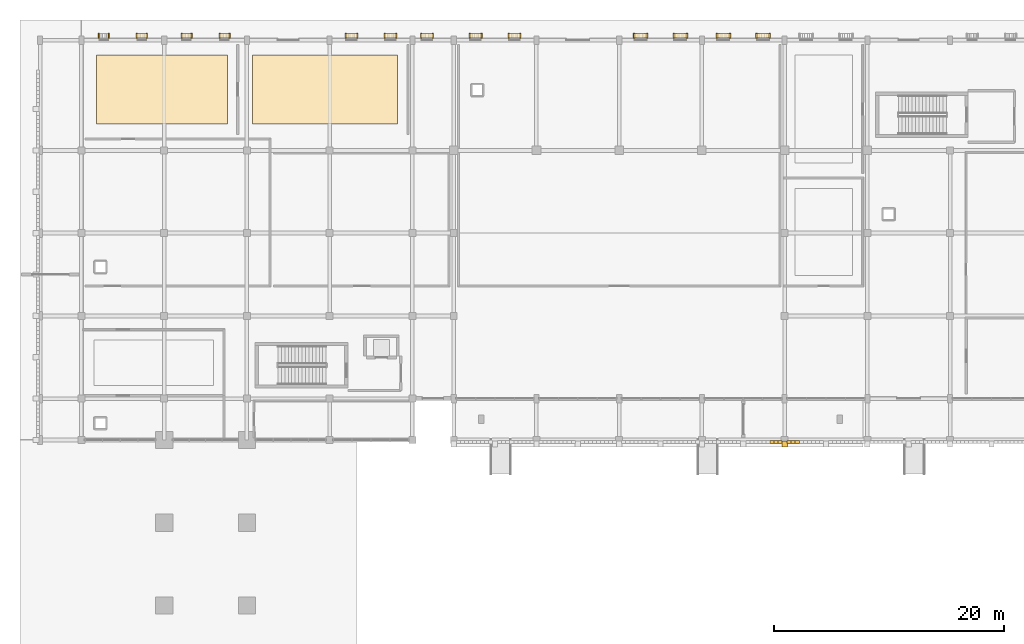
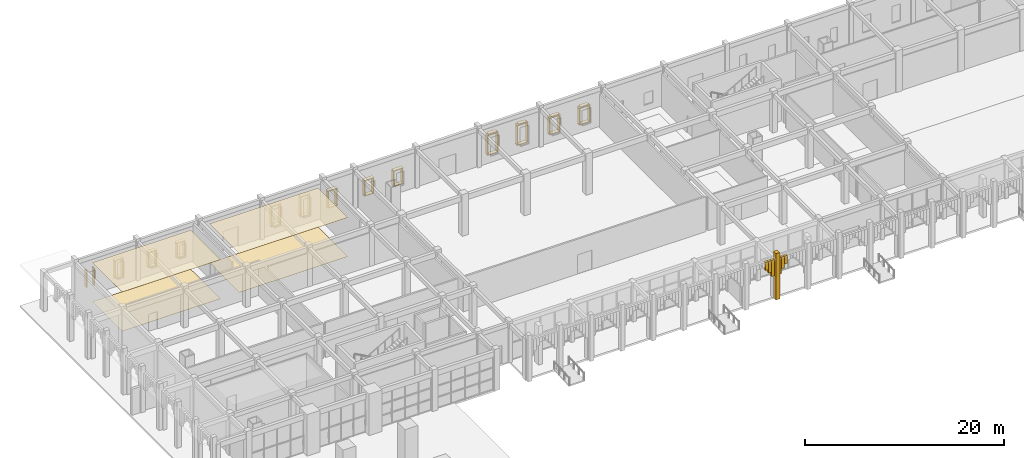
# One storey, part 53 of 72: 65 coverings.
"""IFC4 building model written with IfcOpenShell, lengths in metres."""

from ifc_helpers import new_model, si_unit, direction, frame, origin, origin_2d, place, context, subcontext, project, spatial, polyline, rectangle, outline, extrude, material, layer, layer_set, type_object, element, save


model = new_model("IFC4")

# Units and contexts
model_context = context("Model", 3, precision=1e-05, world=origin(), true_north=direction((0.0, 1.0)))
body_context = subcontext(model_context, "Body", "Model", "MODEL_VIEW")
ifc_project = project(units=[si_unit("LENGTHUNIT", "METRE"), si_unit("AREAUNIT", "SQUARE_METRE"), si_unit("VOLUMEUNIT", "CUBIC_METRE"), si_unit("PLANEANGLEUNIT", "RADIAN"), si_unit("MASSUNIT", "GRAM", prefix="KILO")], contexts=[model_context])

# Site, building, storey
site_placement = place(None, origin())
site = spatial("IfcSite", under=ifc_project, at=site_placement, CompositionType="ELEMENT")
building_placement = place(site_placement, origin())
building = spatial("IfcBuilding", under=site, at=building_placement, Name="Nzembalo Square Collegiate School", CompositionType="ELEMENT")
storey_placement = place(building_placement, origin())
storey = spatial("IfcBuildingStorey", under=building, at=storey_placement, Name="L00", CompositionType="ELEMENT", Elevation=0.0)

# Coverings
ifc_material_1 = material(Name="Precast concrete C40/50 arch voussoir", Category="concrete")
ifc_layer_1 = layer(ifc_material_1, 0.1201171875, Name="Precast concrete C40/50 arch voussoir")
ifc_layer_set_1 = layer_set([ifc_layer_1], Name="Precast concrete C40/50 arch voussoir")
covering_type_1 = type_object("IfcCoveringType", Name="AR01", PredefinedType="CLADDING", material=ifc_layer_set_1)
covering_1_placement = place(storey_placement, frame((68.502197265625, 79.02001953125, 3.810546875), z_axis=(0.0, 0.0, 1.0), x_axis=(1.0, 0.0, 0.0)))
element("IfcCovering", 1, at=covering_1_placement, inside=storey, type_object=covering_type_1, Name="Gothic pointed arch voussoir AR01-049-6", PredefinedType="CLADDING", context=body_context, shape_type="SweptSolid", body=[
    extrude(rectangle(XDim=0.35107421875, YDim=0.280029296875, at=origin_2d()), origin(), (0.0, 0.0, 1.0), 0.989501953125),
])
covering_2_placement = place(storey_placement, frame((68.853271484375, 79.02001953125, 3.361328125), z_axis=(0.0, 0.0, 1.0), x_axis=(1.0, 0.0, 0.0)))
element("IfcCovering", 2, at=covering_2_placement, inside=storey, type_object=covering_type_1, Name="Gothic pointed arch voussoir AR01-049-7", PredefinedType="CLADDING", context=body_context, shape_type="SweptSolid", body=[
    extrude(rectangle(XDim=0.35107421875, YDim=0.280029296875, at=origin_2d()), origin(), (0.0, 0.0, 1.0), 1.438720703125),
])
covering_3_placement = place(storey_placement, frame((69.204345703125, 79.02001953125, 2.80859375), z_axis=(0.0, 0.0, 1.0), x_axis=(1.0, 0.0, 0.0)))
element("IfcCovering", 3, at=covering_3_placement, inside=storey, type_object=covering_type_1, Name="Gothic pointed arch voussoir AR01-049-8", PredefinedType="CLADDING", context=body_context, shape_type="SweptSolid", body=[
    extrude(rectangle(XDim=0.35107421875, YDim=0.280029296875, at=origin_2d()), origin(), (0.0, 0.0, 1.0), 1.991455078125),
])
covering_4_placement = place(storey_placement, frame((69.99560546875, 79.02001953125, 2.808349609375), z_axis=(0.0, 0.0, 1.0), x_axis=(1.0, 0.0, 0.0)))
element("IfcCovering", 4, at=covering_4_placement, inside=storey, type_object=covering_type_1, Name="Gothic pointed arch voussoir AR01-050-0", PredefinedType="CLADDING", context=body_context, shape_type="SweptSolid", body=[
    extrude(rectangle(XDim=0.35107421875, YDim=0.280029296875, at=origin_2d()), origin(), (0.0, 0.0, 1.0), 1.99169921875),
])
covering_5_placement = place(storey_placement, frame((70.3466796875, 79.02001953125, 3.361083984375), z_axis=(0.0, 0.0, 1.0), x_axis=(1.0, 0.0, 0.0)))
element("IfcCovering", 5, at=covering_5_placement, inside=storey, type_object=covering_type_1, Name="Gothic pointed arch voussoir AR01-050-1", PredefinedType="CLADDING", context=body_context, shape_type="SweptSolid", body=[
    extrude(rectangle(XDim=0.35107421875, YDim=0.280029296875, at=origin_2d()), origin(), (0.0, 0.0, 1.0), 1.43896484375),
])
covering_6_placement = place(storey_placement, frame((70.69775390625, 79.02001953125, 3.810546875), z_axis=(0.0, 0.0, 1.0), x_axis=(1.0, 0.0, 0.0)))
element("IfcCovering", 6, at=covering_6_placement, inside=storey, type_object=covering_type_1, Name="Gothic pointed arch voussoir AR01-050-2", PredefinedType="CLADDING", context=body_context, shape_type="SweptSolid", body=[
    extrude(rectangle(XDim=0.35107421875, YDim=0.280029296875, at=origin_2d()), origin(), (0.0, 0.0, 1.0), 0.989501953125),
])
covering_7_placement = place(storey_placement, frame((69.60009765625, 78.840087890625, 0.0), z_axis=(0.0, 0.0, 1.0), x_axis=(1.0, 0.0, 0.0)))
element("IfcCovering", 7, at=covering_7_placement, inside=storey, type_object=covering_type_1, Name="Gothic arcade buttress pinnacle AR01-B050", PredefinedType="CLADDING", context=body_context, shape_type="SweptSolid", body=[
    extrude(rectangle(XDim=0.4599609375, YDim=0.52001953125, at=origin_2d()), origin(), (0.0, 0.0, 1.0), 5.699951171875),
])
ifc_material_2 = material(Name="Perforated acoustic mineral-fibre ceiling")
ifc_layer_2 = layer(ifc_material_2, 0.02490234375, Name="Perforated acoustic mineral-fibre ceiling")
ifc_layer_set_2 = layer_set([ifc_layer_2], Name="Perforated acoustic mineral-fibre ceiling")
covering_type_2 = type_object("IfcCoveringType", Name="CE01", PredefinedType="CEILING", material=ifc_layer_set_2)
covering_8_placement = place(storey_placement, frame((0.0, 0.0, 4.7900390625)))
element("IfcCovering", 8, at=covering_8_placement, inside=storey, type_object=covering_type_2, Name="Acoustic ceiling panel CE01-03", PredefinedType="CEILING", context=body_context, shape_type="SweptSolid", body=[
    extrude(outline(polyline([(9.699951171875, 106.699951171875), (21.10009765625, 106.699951171875), (21.10009765625, 112.699951171875), (9.699951171875, 112.699951171875), (9.699951171875, 106.699951171875)])), origin(), (0.0, 0.0, 1.0), 0.02490234375),
])
covering_9_placement = place(storey_placement, frame((0.0, 0.0, 4.7900390625)))
element("IfcCovering", 9, at=covering_9_placement, inside=storey, type_object=covering_type_2, Name="Acoustic ceiling panel CE01-04", PredefinedType="CEILING", context=body_context, shape_type="SweptSolid", body=[
    extrude(outline(polyline([(23.300048828125, 106.699951171875), (35.89990234375, 106.699951171875), (35.89990234375, 112.699951171875), (23.300048828125, 112.699951171875), (23.300048828125, 106.699951171875)])), origin(), (0.0, 0.0, 1.0), 0.02490234375),
])
ifc_material_3 = material(Name="Polished stone terrazzo flooring", Category="masonry")
ifc_layer_3 = layer(ifc_material_3, 0.02001953125, Name="Polished stone terrazzo flooring")
ifc_layer_set_3 = layer_set([ifc_layer_3], Name="Polished stone terrazzo flooring")
covering_type_3 = type_object("IfcCoveringType", Name="FL01", PredefinedType="FLOORING", material=ifc_layer_set_3)
covering_10_placement = place(storey_placement, origin())
element("IfcCovering", 10, at=covering_10_placement, inside=storey, type_object=covering_type_3, Name="Terrazzo finish flooring FL01-03", PredefinedType="FLOORING", context=body_context, shape_type="SweptSolid", body=[
    extrude(outline(polyline([(9.699951171875, 106.699951171875), (21.10009765625, 106.699951171875), (21.10009765625, 112.699951171875), (9.699951171875, 112.699951171875), (9.699951171875, 106.699951171875)])), origin(), (0.0, 0.0, 1.0), 0.02001953125),
])
covering_11_placement = place(storey_placement, origin())
element("IfcCovering", 11, at=covering_11_placement, inside=storey, type_object=covering_type_3, Name="Terrazzo finish flooring FL01-04", PredefinedType="FLOORING", context=body_context, shape_type="SweptSolid", body=[
    extrude(outline(polyline([(23.300048828125, 106.699951171875), (35.89990234375, 106.699951171875), (35.89990234375, 112.699951171875), (23.300048828125, 112.699951171875), (23.300048828125, 106.699951171875)])), origin(), (0.0, 0.0, 1.0), 0.02001953125),
])
ifc_material_4 = material(Name="Glazed celadon ceramic window frame")
ifc_layer_4 = layer(ifc_material_4, 0.419921875, Name="Glazed celadon ceramic window frame")
ifc_layer_set_4 = layer_set([ifc_layer_4], Name="Glazed celadon ceramic window frame")
covering_type_4 = type_object("IfcCoveringType", Name="WF01", PredefinedType="CLADDING", material=ifc_layer_set_4)
for number, where, z_axis, x_axis, name in (
    (12, (9.916015625, 114.375, 0.75), (0.0, 0.0, 1.0), (1.0, 0.0, 0.0), "Deep lancet window jamb WF01-0075L"),
    (13, (10.77587890625, 114.375, 0.75), (0.0, 0.0, 1.0), (1.0, 0.0, 0.0), "Deep lancet window jamb WF01-0075R"),
):
    element("IfcCovering", number, at=place(storey_placement, frame(where, z_axis=z_axis, x_axis=x_axis)), inside=storey, type_object=covering_type_4, Name=name, PredefinedType="CLADDING", context=body_context, shape_type="SweptSolid", body=[
        extrude(rectangle(XDim=0.10009765625, YDim=0.419921875, at=origin_2d()), origin(), (0.0, 0.0, 1.0), 2.10009765625),
    ])
covering_12_placement = place(storey_placement, frame((13.654052734375, 114.375, 2.85498046875), z_axis=(0.0, 0.0, 1.0), x_axis=(1.0, 0.0, 0.0)))
element("IfcCovering", 14, at=covering_12_placement, inside=storey, type_object=covering_type_4, Name="Deep lancet window hood WF01-0076", PredefinedType="CLADDING", context=body_context, shape_type="SweptSolid", body=[
    extrude(rectangle(XDim=0.989990234375, YDim=0.419921875, at=origin_2d()), origin(), (0.0, 0.0, 1.0), 0.110107421875),
])
covering_13_placement = place(storey_placement, frame((13.654052734375, 114.375, 0.65478515625), z_axis=(0.0, 0.0, 1.0), x_axis=(1.0, 0.0, 0.0)))
element("IfcCovering", 15, at=covering_13_placement, inside=storey, type_object=covering_type_4, Name="Deep lancet window sill WF01-0076", PredefinedType="CLADDING", context=body_context, shape_type="SweptSolid", body=[
    extrude(rectangle(XDim=0.989990234375, YDim=0.419921875, at=origin_2d()), origin(), (0.0, 0.0, 1.0), 0.090087890625),
])
for number, where, z_axis, x_axis, name in (
    (16, (13.22412109375, 114.375, 0.75), (0.0, 0.0, 1.0), (1.0, 0.0, 0.0), "Deep lancet window jamb WF01-0076L"),
    (17, (14.083984375, 114.375, 0.75), (0.0, 0.0, 1.0), (1.0, 0.0, 0.0), "Deep lancet window jamb WF01-0076R"),
):
    element("IfcCovering", number, at=place(storey_placement, frame(where, z_axis=z_axis, x_axis=x_axis)), inside=storey, type_object=covering_type_4, Name=name, PredefinedType="CLADDING", context=body_context, shape_type="SweptSolid", body=[
        extrude(rectangle(XDim=0.10009765625, YDim=0.419921875, at=origin_2d()), origin(), (0.0, 0.0, 1.0), 2.10009765625),
    ])
covering_14_placement = place(storey_placement, frame((17.5458984375, 114.385009765625, 2.455078125), z_axis=(0.0, 0.0, 1.0), x_axis=(1.0, 0.0, 0.0)))
element("IfcCovering", 18, at=covering_14_placement, inside=storey, type_object=covering_type_4, Name="Deep lancet window hood WF01-0077", PredefinedType="CLADDING", context=body_context, shape_type="SweptSolid", body=[
    extrude(rectangle(XDim=0.989990234375, YDim=0.419921875, at=origin_2d()), origin(), (0.0, 0.0, 1.0), 0.110107421875),
])
covering_15_placement = place(storey_placement, frame((17.5458984375, 114.385009765625, 0.65478515625), z_axis=(0.0, 0.0, 1.0), x_axis=(1.0, 0.0, 0.0)))
element("IfcCovering", 19, at=covering_15_placement, inside=storey, type_object=covering_type_4, Name="Deep lancet window sill WF01-0077", PredefinedType="CLADDING", context=body_context, shape_type="SweptSolid", body=[
    extrude(rectangle(XDim=0.989990234375, YDim=0.419921875, at=origin_2d()), origin(), (0.0, 0.0, 1.0), 0.090087890625),
])
for number, where, z_axis, x_axis, name in (
    (20, (17.115966796875, 114.385009765625, 0.75), (0.0, 0.0, 1.0), (1.0, 0.0, 0.0), "Deep lancet window jamb WF01-0077L"),
    (21, (17.97607421875, 114.385009765625, 0.75), (0.0, 0.0, 1.0), (1.0, 0.0, 0.0), "Deep lancet window jamb WF01-0077R"),
):
    element("IfcCovering", number, at=place(storey_placement, frame(where, z_axis=z_axis, x_axis=x_axis)), inside=storey, type_object=covering_type_4, Name=name, PredefinedType="CLADDING", context=body_context, shape_type="SweptSolid", body=[
        extrude(rectangle(XDim=0.10009765625, YDim=0.419921875, at=origin_2d()), origin(), (0.0, 0.0, 1.0), 1.699951171875),
    ])
covering_16_placement = place(storey_placement, frame((20.85400390625, 114.385009765625, 2.455078125), z_axis=(0.0, 0.0, 1.0), x_axis=(1.0, 0.0, 0.0)))
element("IfcCovering", 22, at=covering_16_placement, inside=storey, type_object=covering_type_4, Name="Deep lancet window hood WF01-0078", PredefinedType="CLADDING", context=body_context, shape_type="SweptSolid", body=[
    extrude(rectangle(XDim=0.989990234375, YDim=0.419921875, at=origin_2d()), origin(), (0.0, 0.0, 1.0), 0.110107421875),
])
covering_17_placement = place(storey_placement, frame((20.85400390625, 114.385009765625, 0.65478515625), z_axis=(0.0, 0.0, 1.0), x_axis=(1.0, 0.0, 0.0)))
element("IfcCovering", 23, at=covering_17_placement, inside=storey, type_object=covering_type_4, Name="Deep lancet window sill WF01-0078", PredefinedType="CLADDING", context=body_context, shape_type="SweptSolid", body=[
    extrude(rectangle(XDim=0.989990234375, YDim=0.419921875, at=origin_2d()), origin(), (0.0, 0.0, 1.0), 0.090087890625),
])
for number, where, z_axis, x_axis, name in (
    (24, (20.424072265625, 114.385009765625, 0.75), (0.0, 0.0, 1.0), (1.0, 0.0, 0.0), "Deep lancet window jamb WF01-0078L"),
    (25, (21.283935546875, 114.385009765625, 0.75), (0.0, 0.0, 1.0), (1.0, 0.0, 0.0), "Deep lancet window jamb WF01-0078R"),
):
    element("IfcCovering", number, at=place(storey_placement, frame(where, z_axis=z_axis, x_axis=x_axis)), inside=storey, type_object=covering_type_4, Name=name, PredefinedType="CLADDING", context=body_context, shape_type="SweptSolid", body=[
        extrude(rectangle(XDim=0.10009765625, YDim=0.419921875, at=origin_2d()), origin(), (0.0, 0.0, 1.0), 1.699951171875),
    ])
covering_18_placement = place(storey_placement, frame((31.908447265625, 114.385009765625, 3.10498046875), z_axis=(0.0, 0.0, 1.0), x_axis=(1.0, 0.0, 0.0)))
element("IfcCovering", 26, at=covering_18_placement, inside=storey, type_object=covering_type_4, Name="Deep lancet window hood WF01-0079", PredefinedType="CLADDING", context=body_context, shape_type="SweptSolid", body=[
    extrude(rectangle(XDim=1.139892578125, YDim=0.419921875, at=origin_2d()), origin(), (0.0, 0.0, 1.0), 0.110107421875),
])
covering_19_placement = place(storey_placement, frame((31.908447265625, 114.385009765625, 0.65478515625), z_axis=(0.0, 0.0, 1.0), x_axis=(1.0, 0.0, 0.0)))
element("IfcCovering", 27, at=covering_19_placement, inside=storey, type_object=covering_type_4, Name="Deep lancet window sill WF01-0079", PredefinedType="CLADDING", context=body_context, shape_type="SweptSolid", body=[
    extrude(rectangle(XDim=1.139892578125, YDim=0.419921875, at=origin_2d()), origin(), (0.0, 0.0, 1.0), 0.090087890625),
])
for number, where, z_axis, x_axis, name in (
    (28, (31.403564453125, 114.385009765625, 0.75), (0.0, 0.0, 1.0), (1.0, 0.0, 0.0), "Deep lancet window jamb WF01-0079L"),
    (29, (32.41357421875, 114.385009765625, 0.75), (0.0, 0.0, 1.0), (1.0, 0.0, 0.0), "Deep lancet window jamb WF01-0079R"),
):
    element("IfcCovering", number, at=place(storey_placement, frame(where, z_axis=z_axis, x_axis=x_axis)), inside=storey, type_object=covering_type_4, Name=name, PredefinedType="CLADDING", context=body_context, shape_type="SweptSolid", body=[
        extrude(rectangle(XDim=0.10009765625, YDim=0.419921875, at=origin_2d()), origin(), (0.0, 0.0, 1.0), 2.35009765625),
    ])
covering_20_placement = place(storey_placement, frame((35.29150390625, 114.385009765625, 3.10498046875), z_axis=(0.0, 0.0, 1.0), x_axis=(1.0, 0.0, 0.0)))
element("IfcCovering", 30, at=covering_20_placement, inside=storey, type_object=covering_type_4, Name="Deep lancet window hood WF01-0080", PredefinedType="CLADDING", context=body_context, shape_type="SweptSolid", body=[
    extrude(rectangle(XDim=1.139892578125, YDim=0.419921875, at=origin_2d()), origin(), (0.0, 0.0, 1.0), 0.110107421875),
])
covering_21_placement = place(storey_placement, frame((35.29150390625, 114.385009765625, 0.65478515625), z_axis=(0.0, 0.0, 1.0), x_axis=(1.0, 0.0, 0.0)))
element("IfcCovering", 31, at=covering_21_placement, inside=storey, type_object=covering_type_4, Name="Deep lancet window sill WF01-0080", PredefinedType="CLADDING", context=body_context, shape_type="SweptSolid", body=[
    extrude(rectangle(XDim=1.139892578125, YDim=0.419921875, at=origin_2d()), origin(), (0.0, 0.0, 1.0), 0.090087890625),
])
for number, where, z_axis, x_axis, name in (
    (32, (34.78662109375, 114.385009765625, 0.75), (0.0, 0.0, 1.0), (1.0, 0.0, 0.0), "Deep lancet window jamb WF01-0080L"),
    (33, (35.79638671875, 114.385009765625, 0.75), (0.0, 0.0, 1.0), (1.0, 0.0, 0.0), "Deep lancet window jamb WF01-0080R"),
):
    element("IfcCovering", number, at=place(storey_placement, frame(where, z_axis=z_axis, x_axis=x_axis)), inside=storey, type_object=covering_type_4, Name=name, PredefinedType="CLADDING", context=body_context, shape_type="SweptSolid", body=[
        extrude(rectangle(XDim=0.10009765625, YDim=0.419921875, at=origin_2d()), origin(), (0.0, 0.0, 1.0), 2.35009765625),
    ])
covering_22_placement = place(storey_placement, frame((38.472412109375, 114.375, 2.705078125), z_axis=(0.0, 0.0, 1.0), x_axis=(1.0, 0.0, 0.0)))
element("IfcCovering", 34, at=covering_22_placement, inside=storey, type_object=covering_type_4, Name="Deep lancet window hood WF01-0081", PredefinedType="CLADDING", context=body_context, shape_type="SweptSolid", body=[
    extrude(rectangle(XDim=1.139892578125, YDim=0.419921875, at=origin_2d()), origin(), (0.0, 0.0, 1.0), 0.110107421875),
])
covering_23_placement = place(storey_placement, frame((38.472412109375, 114.375, 0.65478515625), z_axis=(0.0, 0.0, 1.0), x_axis=(1.0, 0.0, 0.0)))
element("IfcCovering", 35, at=covering_23_placement, inside=storey, type_object=covering_type_4, Name="Deep lancet window sill WF01-0081", PredefinedType="CLADDING", context=body_context, shape_type="SweptSolid", body=[
    extrude(rectangle(XDim=1.139892578125, YDim=0.419921875, at=origin_2d()), origin(), (0.0, 0.0, 1.0), 0.090087890625),
])
for number, where, z_axis, x_axis, name in (
    (36, (37.96728515625, 114.375, 0.75), (0.0, 0.0, 1.0), (1.0, 0.0, 0.0), "Deep lancet window jamb WF01-0081L"),
    (37, (38.977294921875, 114.375, 0.75), (0.0, 0.0, 1.0), (1.0, 0.0, 0.0), "Deep lancet window jamb WF01-0081R"),
):
    element("IfcCovering", number, at=place(storey_placement, frame(where, z_axis=z_axis, x_axis=x_axis)), inside=storey, type_object=covering_type_4, Name=name, PredefinedType="CLADDING", context=body_context, shape_type="SweptSolid", body=[
        extrude(rectangle(XDim=0.10009765625, YDim=0.419921875, at=origin_2d()), origin(), (0.0, 0.0, 1.0), 1.949951171875),
    ])
covering_24_placement = place(storey_placement, frame((42.70849609375, 114.385009765625, 2.5048828125), z_axis=(0.0, 0.0, 1.0), x_axis=(1.0, 0.0, 0.0)))
element("IfcCovering", 38, at=covering_24_placement, inside=storey, type_object=covering_type_4, Name="Deep lancet window hood WF01-0082", PredefinedType="CLADDING", context=body_context, shape_type="SweptSolid", body=[
    extrude(rectangle(XDim=1.139892578125, YDim=0.419921875, at=origin_2d()), origin(), (0.0, 0.0, 1.0), 0.110107421875),
])
covering_25_placement = place(storey_placement, frame((42.70849609375, 114.385009765625, 0.65478515625), z_axis=(0.0, 0.0, 1.0), x_axis=(1.0, 0.0, 0.0)))
element("IfcCovering", 39, at=covering_25_placement, inside=storey, type_object=covering_type_4, Name="Deep lancet window sill WF01-0082", PredefinedType="CLADDING", context=body_context, shape_type="SweptSolid", body=[
    extrude(rectangle(XDim=1.139892578125, YDim=0.419921875, at=origin_2d()), origin(), (0.0, 0.0, 1.0), 0.090087890625),
])
for number, where, z_axis, x_axis, name in (
    (40, (42.20361328125, 114.385009765625, 0.75), (0.0, 0.0, 1.0), (1.0, 0.0, 0.0), "Deep lancet window jamb WF01-0082L"),
    (41, (43.21337890625, 114.385009765625, 0.75), (0.0, 0.0, 1.0), (1.0, 0.0, 0.0), "Deep lancet window jamb WF01-0082R"),
):
    element("IfcCovering", number, at=place(storey_placement, frame(where, z_axis=z_axis, x_axis=x_axis)), inside=storey, type_object=covering_type_4, Name=name, PredefinedType="CLADDING", context=body_context, shape_type="SweptSolid", body=[
        extrude(rectangle(XDim=0.10009765625, YDim=0.419921875, at=origin_2d()), origin(), (0.0, 0.0, 1.0), 1.75),
    ])
covering_26_placement = place(storey_placement, frame((46.091552734375, 114.385009765625, 2.5048828125), z_axis=(0.0, 0.0, 1.0), x_axis=(1.0, 0.0, 0.0)))
element("IfcCovering", 42, at=covering_26_placement, inside=storey, type_object=covering_type_4, Name="Deep lancet window hood WF01-0083", PredefinedType="CLADDING", context=body_context, shape_type="SweptSolid", body=[
    extrude(rectangle(XDim=1.139892578125, YDim=0.419921875, at=origin_2d()), origin(), (0.0, 0.0, 1.0), 0.110107421875),
])
covering_27_placement = place(storey_placement, frame((46.091552734375, 114.385009765625, 0.65478515625), z_axis=(0.0, 0.0, 1.0), x_axis=(1.0, 0.0, 0.0)))
element("IfcCovering", 43, at=covering_27_placement, inside=storey, type_object=covering_type_4, Name="Deep lancet window sill WF01-0083", PredefinedType="CLADDING", context=body_context, shape_type="SweptSolid", body=[
    extrude(rectangle(XDim=1.139892578125, YDim=0.419921875, at=origin_2d()), origin(), (0.0, 0.0, 1.0), 0.090087890625),
])
for number, where, z_axis, x_axis, name in (
    (44, (45.58642578125, 114.385009765625, 0.75), (0.0, 0.0, 1.0), (1.0, 0.0, 0.0), "Deep lancet window jamb WF01-0083L"),
    (45, (46.596435546875, 114.385009765625, 0.75), (0.0, 0.0, 1.0), (1.0, 0.0, 0.0), "Deep lancet window jamb WF01-0083R"),
):
    element("IfcCovering", number, at=place(storey_placement, frame(where, z_axis=z_axis, x_axis=x_axis)), inside=storey, type_object=covering_type_4, Name=name, PredefinedType="CLADDING", context=body_context, shape_type="SweptSolid", body=[
        extrude(rectangle(XDim=0.10009765625, YDim=0.419921875, at=origin_2d()), origin(), (0.0, 0.0, 1.0), 1.75),
    ])
covering_28_placement = place(storey_placement, frame((57.071044921875, 114.385009765625, 3.05517578125), z_axis=(0.0, 0.0, 1.0), x_axis=(1.0, 0.0, 0.0)))
element("IfcCovering", 46, at=covering_28_placement, inside=storey, type_object=covering_type_4, Name="Deep lancet window hood WF01-0084", PredefinedType="CLADDING", context=body_context, shape_type="SweptSolid", body=[
    extrude(rectangle(XDim=1.2900390625, YDim=0.419921875, at=origin_2d()), origin(), (0.0, 0.0, 1.0), 0.110107421875),
])
covering_29_placement = place(storey_placement, frame((57.071044921875, 114.385009765625, 3.159912109375), z_axis=(0.0, 0.0, 1.0), x_axis=(1.0, 0.0, 0.0)))
element("IfcCovering", 47, at=covering_29_placement, inside=storey, type_object=covering_type_4, Name="Pointed lancet gable WF01-0084-1", PredefinedType="CLADDING", context=body_context, shape_type="SweptSolid", body=[
    extrude(rectangle(XDim=0.949951171875, YDim=0.419921875, at=origin_2d()), origin(), (0.0, 0.0, 1.0), 0.1201171875),
])
covering_30_placement = place(storey_placement, frame((57.071044921875, 114.385009765625, 0.65478515625), z_axis=(0.0, 0.0, 1.0), x_axis=(1.0, 0.0, 0.0)))
element("IfcCovering", 48, at=covering_30_placement, inside=storey, type_object=covering_type_4, Name="Deep lancet window sill WF01-0084", PredefinedType="CLADDING", context=body_context, shape_type="SweptSolid", body=[
    extrude(rectangle(XDim=1.2900390625, YDim=0.419921875, at=origin_2d()), origin(), (0.0, 0.0, 1.0), 0.090087890625),
])
for number, where, z_axis, x_axis, name in (
    (49, (56.490966796875, 114.385009765625, 0.75), (0.0, 0.0, 1.0), (1.0, 0.0, 0.0), "Deep lancet window jamb WF01-0084L"),
    (50, (57.65087890625, 114.385009765625, 0.75), (0.0, 0.0, 1.0), (1.0, 0.0, 0.0), "Deep lancet window jamb WF01-0084R"),
):
    element("IfcCovering", number, at=place(storey_placement, frame(where, z_axis=z_axis, x_axis=x_axis)), inside=storey, type_object=covering_type_4, Name=name, PredefinedType="CLADDING", context=body_context, shape_type="SweptSolid", body=[
        extrude(rectangle(XDim=0.10009765625, YDim=0.419921875, at=origin_2d()), origin(), (0.0, 0.0, 1.0), 2.300048828125),
    ])
covering_31_placement = place(storey_placement, frame((60.529052734375, 114.385009765625, 3.05517578125), z_axis=(0.0, 0.0, 1.0), x_axis=(1.0, 0.0, 0.0)))
element("IfcCovering", 51, at=covering_31_placement, inside=storey, type_object=covering_type_4, Name="Deep lancet window hood WF01-0085", PredefinedType="CLADDING", context=body_context, shape_type="SweptSolid", body=[
    extrude(rectangle(XDim=1.2900390625, YDim=0.419921875, at=origin_2d()), origin(), (0.0, 0.0, 1.0), 0.110107421875),
])
covering_32_placement = place(storey_placement, frame((60.529052734375, 114.385009765625, 3.159912109375), z_axis=(0.0, 0.0, 1.0), x_axis=(1.0, 0.0, 0.0)))
element("IfcCovering", 52, at=covering_32_placement, inside=storey, type_object=covering_type_4, Name="Pointed lancet gable WF01-0085-1", PredefinedType="CLADDING", context=body_context, shape_type="SweptSolid", body=[
    extrude(rectangle(XDim=0.949951171875, YDim=0.419921875, at=origin_2d()), origin(), (0.0, 0.0, 1.0), 0.1201171875),
])
covering_33_placement = place(storey_placement, frame((60.529052734375, 114.385009765625, 0.65478515625), z_axis=(0.0, 0.0, 1.0), x_axis=(1.0, 0.0, 0.0)))
element("IfcCovering", 53, at=covering_33_placement, inside=storey, type_object=covering_type_4, Name="Deep lancet window sill WF01-0085", PredefinedType="CLADDING", context=body_context, shape_type="SweptSolid", body=[
    extrude(rectangle(XDim=1.2900390625, YDim=0.419921875, at=origin_2d()), origin(), (0.0, 0.0, 1.0), 0.090087890625),
])
for number, where, z_axis, x_axis, name in (
    (54, (59.948974609375, 114.385009765625, 0.75), (0.0, 0.0, 1.0), (1.0, 0.0, 0.0), "Deep lancet window jamb WF01-0085L"),
    (55, (61.10888671875, 114.385009765625, 0.75), (0.0, 0.0, 1.0), (1.0, 0.0, 0.0), "Deep lancet window jamb WF01-0085R"),
):
    element("IfcCovering", number, at=place(storey_placement, frame(where, z_axis=z_axis, x_axis=x_axis)), inside=storey, type_object=covering_type_4, Name=name, PredefinedType="CLADDING", context=body_context, shape_type="SweptSolid", body=[
        extrude(rectangle(XDim=0.10009765625, YDim=0.419921875, at=origin_2d()), origin(), (0.0, 0.0, 1.0), 2.300048828125),
    ])
covering_34_placement = place(storey_placement, frame((64.27099609375, 114.375, 2.65478515625), z_axis=(0.0, 0.0, 1.0), x_axis=(1.0, 0.0, 0.0)))
element("IfcCovering", 56, at=covering_34_placement, inside=storey, type_object=covering_type_4, Name="Deep lancet window hood WF01-0086", PredefinedType="CLADDING", context=body_context, shape_type="SweptSolid", body=[
    extrude(rectangle(XDim=1.2900390625, YDim=0.419921875, at=origin_2d()), origin(), (0.0, 0.0, 1.0), 0.110107421875),
])
covering_35_placement = place(storey_placement, frame((64.27099609375, 114.375, 2.760009765625), z_axis=(0.0, 0.0, 1.0), x_axis=(1.0, 0.0, 0.0)))
element("IfcCovering", 57, at=covering_35_placement, inside=storey, type_object=covering_type_4, Name="Pointed lancet gable WF01-0086-1", PredefinedType="CLADDING", context=body_context, shape_type="SweptSolid", body=[
    extrude(rectangle(XDim=0.949951171875, YDim=0.419921875, at=origin_2d()), origin(), (0.0, 0.0, 1.0), 0.1201171875),
])
covering_36_placement = place(storey_placement, frame((64.27099609375, 114.375, 0.65478515625), z_axis=(0.0, 0.0, 1.0), x_axis=(1.0, 0.0, 0.0)))
element("IfcCovering", 58, at=covering_36_placement, inside=storey, type_object=covering_type_4, Name="Deep lancet window sill WF01-0086", PredefinedType="CLADDING", context=body_context, shape_type="SweptSolid", body=[
    extrude(rectangle(XDim=1.2900390625, YDim=0.419921875, at=origin_2d()), origin(), (0.0, 0.0, 1.0), 0.090087890625),
])
for number, where, z_axis, x_axis, name in (
    (59, (63.69091796875, 114.375, 0.75), (0.0, 0.0, 1.0), (1.0, 0.0, 0.0), "Deep lancet window jamb WF01-0086L"),
    (60, (64.85107421875, 114.375, 0.75), (0.0, 0.0, 1.0), (1.0, 0.0, 0.0), "Deep lancet window jamb WF01-0086R"),
):
    element("IfcCovering", number, at=place(storey_placement, frame(where, z_axis=z_axis, x_axis=x_axis)), inside=storey, type_object=covering_type_4, Name=name, PredefinedType="CLADDING", context=body_context, shape_type="SweptSolid", body=[
        extrude(rectangle(XDim=0.10009765625, YDim=0.419921875, at=origin_2d()), origin(), (0.0, 0.0, 1.0), 1.89990234375),
    ])
covering_37_placement = place(storey_placement, frame((67.72900390625, 114.375, 2.65478515625), z_axis=(0.0, 0.0, 1.0), x_axis=(1.0, 0.0, 0.0)))
element("IfcCovering", 61, at=covering_37_placement, inside=storey, type_object=covering_type_4, Name="Deep lancet window hood WF01-0087", PredefinedType="CLADDING", context=body_context, shape_type="SweptSolid", body=[
    extrude(rectangle(XDim=1.2900390625, YDim=0.419921875, at=origin_2d()), origin(), (0.0, 0.0, 1.0), 0.110107421875),
])
covering_38_placement = place(storey_placement, frame((67.72900390625, 114.375, 2.760009765625), z_axis=(0.0, 0.0, 1.0), x_axis=(1.0, 0.0, 0.0)))
element("IfcCovering", 62, at=covering_38_placement, inside=storey, type_object=covering_type_4, Name="Pointed lancet gable WF01-0087-1", PredefinedType="CLADDING", context=body_context, shape_type="SweptSolid", body=[
    extrude(rectangle(XDim=0.949951171875, YDim=0.419921875, at=origin_2d()), origin(), (0.0, 0.0, 1.0), 0.1201171875),
])
covering_39_placement = place(storey_placement, frame((67.72900390625, 114.375, 0.65478515625), z_axis=(0.0, 0.0, 1.0), x_axis=(1.0, 0.0, 0.0)))
element("IfcCovering", 63, at=covering_39_placement, inside=storey, type_object=covering_type_4, Name="Deep lancet window sill WF01-0087", PredefinedType="CLADDING", context=body_context, shape_type="SweptSolid", body=[
    extrude(rectangle(XDim=1.2900390625, YDim=0.419921875, at=origin_2d()), origin(), (0.0, 0.0, 1.0), 0.090087890625),
])
for number, where, z_axis, x_axis, name in (
    (64, (67.14892578125, 114.375, 0.75), (0.0, 0.0, 1.0), (1.0, 0.0, 0.0), "Deep lancet window jamb WF01-0087L"),
    (65, (68.30908203125, 114.375, 0.75), (0.0, 0.0, 1.0), (1.0, 0.0, 0.0), "Deep lancet window jamb WF01-0087R"),
):
    element("IfcCovering", number, at=place(storey_placement, frame(where, z_axis=z_axis, x_axis=x_axis)), inside=storey, type_object=covering_type_4, Name=name, PredefinedType="CLADDING", context=body_context, shape_type="SweptSolid", body=[
        extrude(rectangle(XDim=0.10009765625, YDim=0.419921875, at=origin_2d()), origin(), (0.0, 0.0, 1.0), 1.89990234375),
    ])

save(model, "model.ifc")
